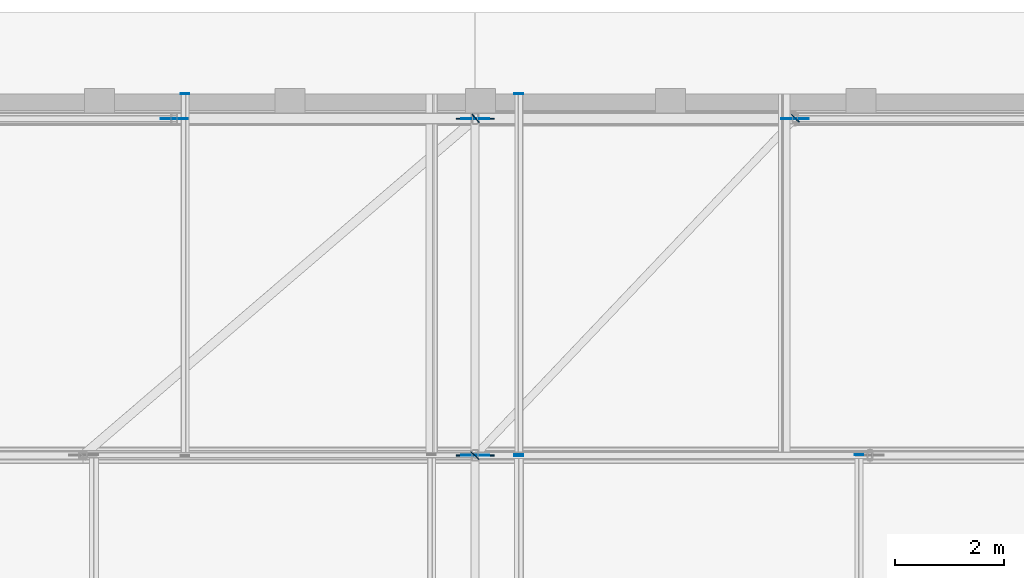
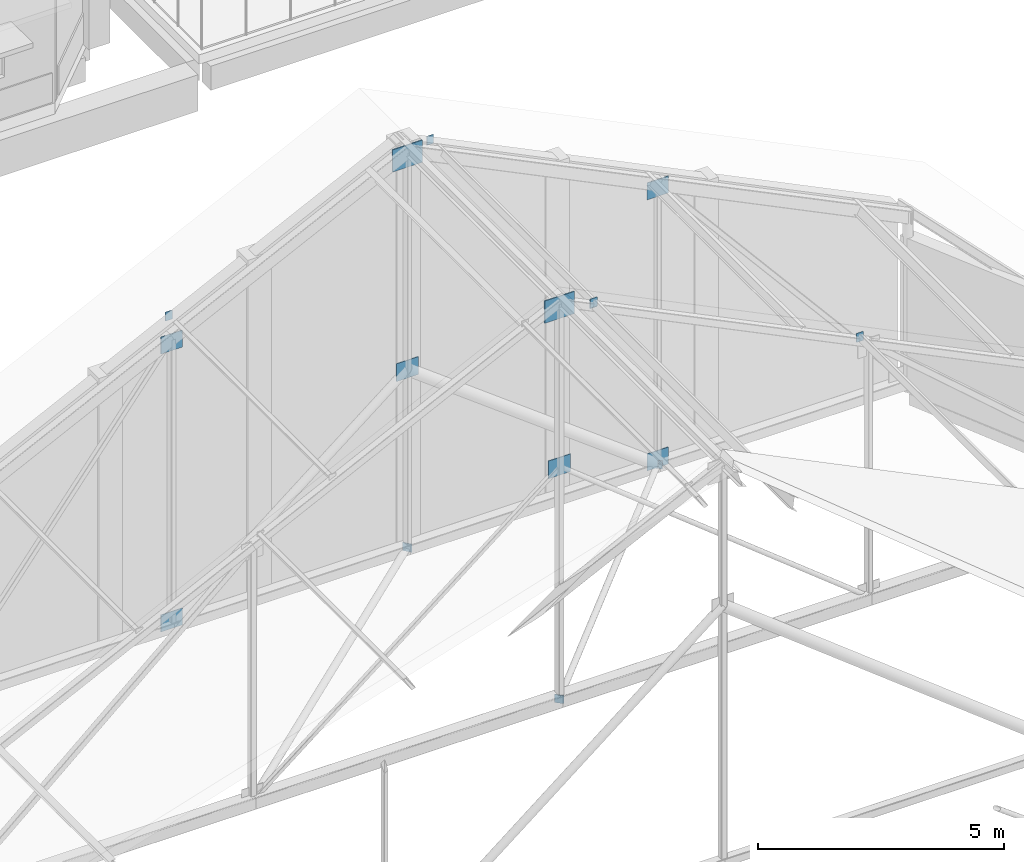
# One storey, part 57 of 78: 16 plates.
"""IFC4 building model written with IfcOpenShell, lengths in metres."""

from ifc_helpers import new_model, si_unit, direction, frame, origin, origin_2d, place, context, subcontext, project, spatial, rectangle, extrude, material, layer, layer_set, type_object, element, save


model = new_model("IFC4")

# Units and contexts
model_context = context("Model", 3, precision=1e-05, world=origin(), true_north=direction((0.0, 1.0)))
body_context = subcontext(model_context, "Body", "Model", "MODEL_VIEW")
ifc_project = project(units=[si_unit("LENGTHUNIT", "METRE"), si_unit("AREAUNIT", "SQUARE_METRE"), si_unit("VOLUMEUNIT", "CUBIC_METRE"), si_unit("PLANEANGLEUNIT", "RADIAN"), si_unit("MASSUNIT", "GRAM", prefix="KILO")], contexts=[model_context])

# Site, building, storey
site_placement = place(None, origin())
site = spatial("IfcSite", under=ifc_project, at=site_placement, CompositionType="ELEMENT")
building_placement = place(site_placement, origin())
building = spatial("IfcBuilding", under=site, at=building_placement, Name="Kelanivale Promenade Academy", CompositionType="ELEMENT")
storey_placement = place(building_placement, frame((0.0, 0.0, 16.199951171875)))
storey = spatial("IfcBuildingStorey", under=building, at=storey_placement, Name="L04", CompositionType="ELEMENT", Elevation=16.199951171875)

# Plates
ifc_material = material(Name="Steel S355", Category="steel")
ifc_layer_1 = layer(ifc_material, 0.01611328125)
ifc_layer_set_1 = layer_set([ifc_layer_1], Name="Steel S355")
plate_type_1 = type_object("IfcPlateType", Name="TN-CP16 Plate 16mm", PredefinedType="USERDEFINED", material=ifc_layer_set_1)
for number, where, z_axis, x_axis, name in (
    (1, (140.0, 72.779052734375, 9.60498046875), (0.0, 0.0, 1.0), (0.0, 1.0, 0.0), "ROOF TRUSS TN-4 hollow-section end cap plate"),
    (2, (146.2451171875, 72.779052734375, 6.5830078125), (0.0, 0.0, 1.0), (0.0, 1.0, 0.0), "ROOF TRUSS TN-4 hollow-section end cap plate"),
    (3, (133.875, 79.407958984375, 7.4228515625), (0.0, 0.0, 1.0), (0.0, 1.0, 0.0), "ROOF TRUSS TN-4 hollow-section end cap plate"),
    (4, (140.0, 72.762939453125, 9.63330078125), (0.0, 0.0, 1.0), (0.0, -1.0, 0.0), "ROOF TRUSS TN-4 hollow-section end cap plate"),
    (5, (140.0, 79.407958984375, 9.63330078125), (0.0, 0.0, 1.0), (0.0, 1.0, 0.0), "ROOF TRUSS TN-4 hollow-section end cap plate"),
):
    element("IfcPlate", number, at=place(storey_placement, frame(where, z_axis=z_axis, x_axis=x_axis)), inside=storey, type_object=plate_type_1, Name=name, ObjectType="CAP PLATE", PredefinedType="USERDEFINED", context=body_context, shape_type="SweptSolid", body=[
        extrude(rectangle(XDim=0.01611328125, YDim=0.159912109375, at=origin_2d()), origin(), (0.0, 0.0, 1.0), 0.219970703125),
    ])
for number, where, z_axis, x_axis, name in (
    (6, (139.2060546875, 78.955078125, 0.10009765625), (0.0, 0.0, 1.0), (0.758816796231, 0.651304130002, 0.0), "ROOF TRUSS TN-3 hollow-section end cap plate"),
    (7, (139.194091796875, 72.764892578125, 0.10009765625), (0.0, 0.0, 1.0), (-0.688734286451, -0.725013849983, 0.0), "ROOF TRUSS TN-3 hollow-section end cap plate"),
    (8, (145.074951171875, 78.9560546875, 0.10009765625), (0.0, 0.0, 1.0), (0.688734286451, 0.725013849983, 0.0), "ROOF TRUSS TN-3 hollow-section end cap plate"),
):
    element("IfcPlate", number, at=place(storey_placement, frame(where, z_axis=z_axis, x_axis=x_axis)), inside=storey, type_object=plate_type_1, Name=name, ObjectType="CAP PLATE", PredefinedType="USERDEFINED", context=body_context, shape_type="SweptSolid", body=[
        extrude(rectangle(XDim=0.01611328125, YDim=0.199951171875, at=origin_2d()), origin(), (0.0, 0.0, 1.0), 0.199951171875),
    ])
ifc_layer_2 = layer(ifc_material, 0.01611328125)
ifc_layer_set_2 = layer_set([ifc_layer_2], Name="Steel S355")
plate_type_2 = type_object("IfcPlateType", Name="TN-GP16 Plate 16mm", PredefinedType="USERDEFINED", material=ifc_layer_set_2)
for number, where, z_axis, x_axis, name in (
    (9, (139.199951171875, 72.77099609375, 5.739990234375), (0.0, 0.0, 1.0), (1.0, 0.0, 0.0), "ROOF TRUSS TN-2D welded node gusset plate"),
    (10, (139.199951171875, 78.949951171875, 4.400146484375), (0.0, 0.0, 1.0), (1.0, 0.0, 0.0), "ROOF TRUSS TN-2D welded node gusset plate"),
):
    element("IfcPlate", number, at=place(storey_placement, frame(where, z_axis=z_axis, x_axis=x_axis)), inside=storey, type_object=plate_type_2, Name=name, ObjectType="GUSSET PLATE", PredefinedType="USERDEFINED", context=body_context, shape_type="SweptSolid", body=[
        extrude(rectangle(XDim=0.52001953125, YDim=0.01611328125, at=origin_2d()), origin(), (0.0, 0.0, 1.0), 0.43994140625),
    ])
for number, where, z_axis, x_axis, name in (
    (11, (133.675048828125, 78.949951171875, 0.130126953125), (0.0, 0.0, 1.0), (1.0, 0.0, 0.0), "ROOF TRUSS TN-3 welded node gusset plate"),
    (12, (145.069091796875, 78.949951171875, 0.130126953125), (0.0, 0.0, 1.0), (1.0, 0.0, 0.0), "ROOF TRUSS TN-3E welded node gusset plate"),
    (13, (133.675048828125, 78.949951171875, 7.01416015625), (0.0, 0.0, 1.0), (1.0, 0.0, 0.0), "ROOF TRUSS TN-4 welded node gusset plate"),
    (14, (145.069091796875, 78.949951171875, 6.84619140625), (0.0, 0.0, 1.0), (1.0, 0.0, 0.0), "ROOF TRUSS TN-4E welded node gusset plate"),
):
    element("IfcPlate", number, at=place(storey_placement, frame(where, z_axis=z_axis, x_axis=x_axis)), inside=storey, type_object=plate_type_2, Name=name, ObjectType="GUSSET PLATE", PredefinedType="USERDEFINED", context=body_context, shape_type="SweptSolid", body=[
        extrude(rectangle(XDim=0.5, YDim=0.01611328125, at=origin_2d()), origin(), (0.0, 0.0, 1.0), 0.419921875),
    ])
ifc_layer_3 = layer(ifc_material, 0.02490234375)
ifc_layer_set_3 = layer_set([ifc_layer_3], Name="Steel S355")
plate_type_3 = type_object("IfcPlateType", Name="TN-GP25 Plate 25mm", PredefinedType="USERDEFINED", material=ifc_layer_set_3)
for number, where, z_axis, x_axis, name in (
    (15, (139.199951171875, 72.77099609375, 9.626953125), (0.0, 0.0, 1.0), (1.0, 0.0, 0.0), "ROOF TRUSS TN-2 welded node gusset plate"),
    (16, (139.199951171875, 78.949951171875, 9.626953125), (0.0, 0.0, 1.0), (1.0, 0.0, 0.0), "ROOF TRUSS TN-2 welded node gusset plate"),
):
    element("IfcPlate", number, at=place(storey_placement, frame(where, z_axis=z_axis, x_axis=x_axis)), inside=storey, type_object=plate_type_3, Name=name, ObjectType="GUSSET PLATE", PredefinedType="USERDEFINED", context=body_context, shape_type="SweptSolid", body=[
        extrude(rectangle(XDim=0.699951171875, YDim=0.02490234375, at=origin_2d()), origin(), (0.0, 0.0, 1.0), 0.550048828125),
    ])

save(model, "model.ifc")
